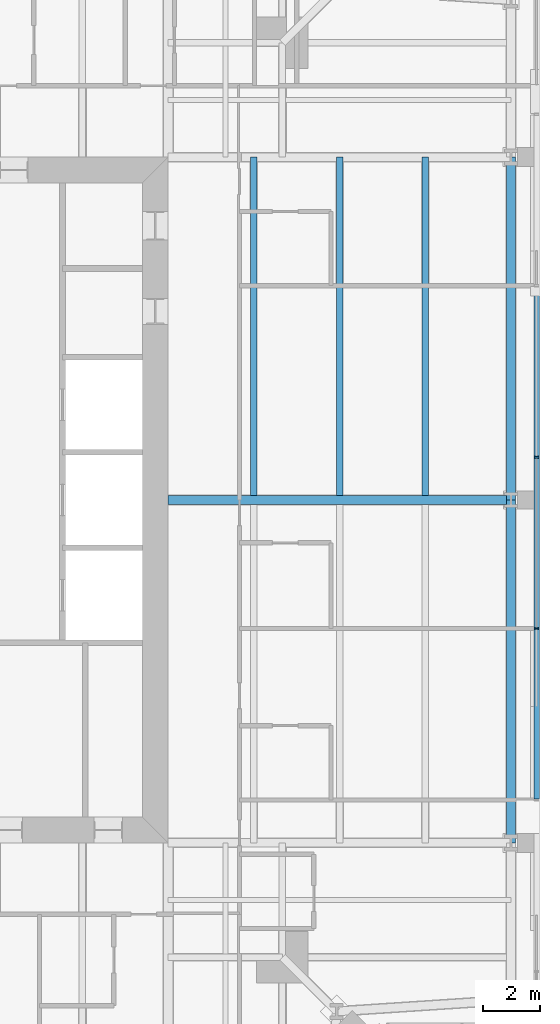
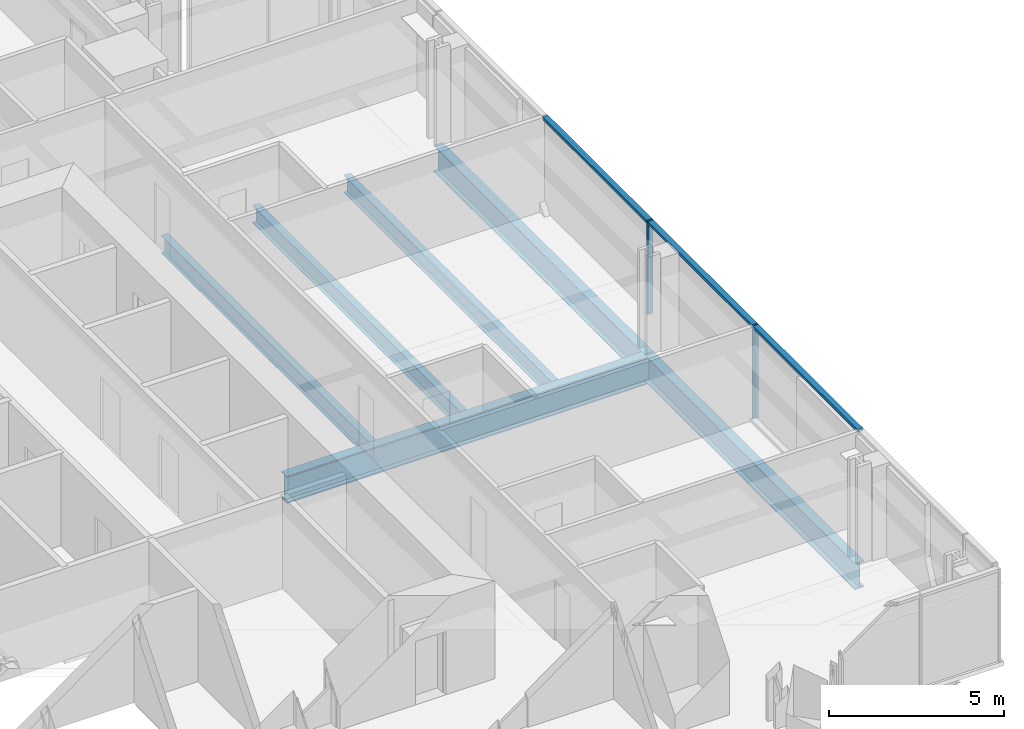
# One storey, part 6 of 18: 6 beams, 5 members, 1 element without a shape of its own.
"""IFC4 building model written with IfcOpenShell, lengths in metres."""

from ifc_helpers import new_model, si_unit, direction, frame, origin, origin_2d, place, context, subcontext, project, spatial, rectangle, i_section, extrude, material, material_profile, profile_set, type_object, element, aggregate, save


model = new_model("IFC4")

# Units and contexts
model_context = context("Model", 3, precision=1e-05, world=origin(), true_north=direction((0.0, 1.0)))
body_context = subcontext(model_context, "Body", "Model", "MODEL_VIEW")
ifc_project = project(units=[si_unit("LENGTHUNIT", "METRE"), si_unit("AREAUNIT", "SQUARE_METRE"), si_unit("VOLUMEUNIT", "CUBIC_METRE"), si_unit("PLANEANGLEUNIT", "RADIAN"), si_unit("MASSUNIT", "GRAM", prefix="KILO")], contexts=[model_context])

# Site, building, storey
site_placement = place(None, origin())
site = spatial("IfcSite", under=ifc_project, at=site_placement, CompositionType="ELEMENT")
building_placement = place(site_placement, origin())
building = spatial("IfcBuilding", under=site, at=building_placement, Name="Fenwick Lantern Interchange", CompositionType="ELEMENT")
storey_placement = place(building_placement, frame((0.0, 0.0, 266.199951171875)))
storey = spatial("IfcBuildingStorey", under=building, at=storey_placement, Name="L63", CompositionType="ELEMENT", Elevation=266.199951171875)

# Beams
ifc_material_1 = material(Name="Steel ASTM A992 Grade 50", Category="steel")
ifc_material_profile_1 = material_profile(ifc_material_1, i_section(OverallWidth=0.3046875, OverallDepth=0.911865234375, WebThickness=0.015869140625, FlangeThickness=0.02392578125, at=origin_2d()), Name="W36X150")
ifc_profile_set_1 = profile_set([ifc_material_profile_1], Name="Steel ASTM A992 Grade 50")
beam_type_1 = type_object("IfcBeamType", Name="EDGE BEAM W36X150", PredefinedType="SPANDREL", material=ifc_profile_set_1)
for number, where, z_axis, x_axis, name in (
    (1, (49.0, 13.0, -0.60595703125), (0.0, 1.0, 0.0), (-1.0, 0.0, 0.0), "L63/FR/E/EB2"),
    (2, (49.0, 25.0, -0.60595703125), (0.0, 1.0, 0.0), (-1.0, 0.0, 0.0), "L63/FR/E/EB3"),
):
    element("IfcBeam", number, at=place(storey_placement, frame(where, z_axis=z_axis, x_axis=x_axis)), inside=storey, type_object=beam_type_1, Name=name, PredefinedType="SPANDREL", context=body_context, shape_type="SweptSolid", body=[
        extrude(i_section(OverallWidth=0.3046875, OverallDepth=0.911865234375, WebThickness=0.015869140625, FlangeThickness=0.02392578125, at=origin_2d()), origin(), (0.0, 0.0, 1.0), 12.0),
    ])
ifc_material_profile_2 = material_profile(ifc_material_1, i_section(OverallWidth=0.22900390625, OverallDepth=0.612060546875, WebThickness=0.011962890625, FlangeThickness=0.01953125, at=origin_2d()), Name="W24X84")
ifc_profile_set_2 = profile_set([ifc_material_profile_2], Name="Steel ASTM A992 Grade 50")
beam_type_2 = type_object("IfcBeamType", Name="FLOOR BEAM W24X84", PredefinedType="BEAM", material=ifc_profile_set_2)
for number, where, z_axis, x_axis, name in (
    (3, (46.0, 25.155029296875, -0.4560546875), (0.0, 1.0, 0.0), (-1.0, 0.0, 0.0), "L63/FR/E/B04"),
    (4, (43.0, 25.155029296875, -0.4560546875), (0.0, 1.0, 0.0), (-1.0, 0.0, 0.0), "L63/FR/E/B05"),
    (5, (40.0, 25.155029296875, -0.4560546875), (0.0, 1.0, 0.0), (-1.0, 0.0, 0.0), "L63/FR/E/B06"),
):
    element("IfcBeam", number, at=place(storey_placement, frame(where, z_axis=z_axis, x_axis=x_axis)), inside=storey, type_object=beam_type_2, Name=name, PredefinedType="BEAM", context=body_context, shape_type="SweptSolid", body=[
        extrude(i_section(OverallWidth=0.22900390625, OverallDepth=0.612060546875, WebThickness=0.011962890625, FlangeThickness=0.01953125, at=origin_2d()), origin(), (0.0, 0.0, 1.0), 11.844970703125),
    ])

# Curtain wall, members
ifc_material_2 = material(Name="Aluminium curtain wall frame", Category="aluminium")
curtain_wall_type = type_object("IfcCurtainWallType", Name="HOTEL CURTAIN WALL", PredefinedType="USERDEFINED", material=ifc_material_2)
curtain_wall_placement = place(storey_placement, origin())
curtain_wall = element("IfcCurtainWall", 6, at=curtain_wall_placement, inside=storey, type_object=curtain_wall_type, Name="Hotel curtain wall 05", ObjectType="HOTEL CURTAIN WALL", PredefinedType="USERDEFINED")
ifc_material_3 = material(Name="Aluminium extrusion", Category="aluminium")
ifc_material_profile_3 = material_profile(ifc_material_3, rectangle(XDim=0.179931640625, YDim=0.06005859375, at=origin_2d()), Name="HOTEL CURTAIN WALL MULLION 60 X 180")
ifc_profile_set_3 = profile_set([ifc_material_profile_3], Name="Aluminium extrusion")
member_type_1 = type_object("IfcMemberType", Name="HOTEL CURTAIN WALL MULLION 60 X 180", PredefinedType="MULLION", material=ifc_profile_set_3)
member_1_placement = place(storey_placement, frame((49.89990234375, 20.5, 0.0), z_axis=(0.0, 0.0, 1.0), x_axis=(-1.0, 0.0, 0.0)))
member_1 = element("IfcMember", 7, at=member_1_placement, type_object=member_type_1, Name="L63/CW/05/M03", PredefinedType="MULLION", context=body_context, shape_type="SweptSolid", body=[
    extrude(rectangle(XDim=0.179931640625, YDim=0.06005859375, at=origin_2d()), origin(), (0.0, 0.0, 1.0), 3.25),
])
member_2_placement = place(storey_placement, frame((49.89990234375, 26.5, 0.0), z_axis=(0.0, 0.0, 1.0), x_axis=(-1.0, 0.0, 0.0)))
member_2 = element("IfcMember", 8, at=member_2_placement, type_object=member_type_1, Name="L63/CW/05/M04", PredefinedType="MULLION", context=body_context, shape_type="SweptSolid", body=[
    extrude(rectangle(XDim=0.179931640625, YDim=0.06005859375, at=origin_2d()), origin(), (0.0, 0.0, 1.0), 3.25),
])
ifc_material_profile_4 = material_profile(ifc_material_3, rectangle(XDim=0.179931640625, YDim=0.10009765625, at=origin_2d()), Name="HOTEL CURTAIN WALL TRANSOM 100 X 180")
ifc_profile_set_4 = profile_set([ifc_material_profile_4], Name="Aluminium extrusion")
member_type_2 = type_object("IfcMemberType", Name="HOTEL CURTAIN WALL TRANSOM 100 X 180", PredefinedType="MULLION", material=ifc_profile_set_4)
member_3_placement = place(storey_placement, frame((49.89990234375, 14.530029296875, 3.199951171875), z_axis=(0.0, 1.0, 0.0), x_axis=(-1.0, 0.0, 0.0)))
member_3 = element("IfcMember", 9, at=member_3_placement, type_object=member_type_2, Name="L63/CW/05/T02", PredefinedType="MULLION", context=body_context, shape_type="SweptSolid", body=[
    extrude(rectangle(XDim=0.179931640625, YDim=0.10009765625, at=origin_2d()), origin(), (0.0, 0.0, 1.0), 5.93994140625),
])
member_4_placement = place(storey_placement, frame((49.89990234375, 20.530029296875, 3.199951171875), z_axis=(0.0, 1.0, 0.0), x_axis=(-1.0, 0.0, 0.0)))
member_4 = element("IfcMember", 10, at=member_4_placement, type_object=member_type_2, Name="L63/CW/05/T03", PredefinedType="MULLION", context=body_context, shape_type="SweptSolid", body=[
    extrude(rectangle(XDim=0.179931640625, YDim=0.10009765625, at=origin_2d()), origin(), (0.0, 0.0, 1.0), 5.93994140625),
])
member_5_placement = place(storey_placement, frame((49.89990234375, 26.530029296875, 3.199951171875), z_axis=(0.0, 1.0, 0.0), x_axis=(-1.0, 0.0, 0.0)))
member_5 = element("IfcMember", 11, at=member_5_placement, type_object=member_type_2, Name="L63/CW/05/T04", PredefinedType="MULLION", context=body_context, shape_type="SweptSolid", body=[
    extrude(rectangle(XDim=0.179931640625, YDim=0.10009765625, at=origin_2d()), origin(), (0.0, 0.0, 1.0), 5.93994140625),
])
aggregate(curtain_wall, [member_1, member_2, member_3, member_4, member_5])

# Beam
ifc_material_profile_5 = material_profile(ifc_material_1, i_section(OverallWidth=0.309814453125, OverallDepth=0.949951171875, WebThickness=0.0244140625, FlangeThickness=0.0439453125, at=origin_2d()), Name="W36X256")
ifc_profile_set_5 = profile_set([ifc_material_profile_5], Name="Steel ASTM A992 Grade 50")
beam_type_3 = type_object("IfcBeamType", Name="MOMENT-CONNECTED GIRDER W36X256", PredefinedType="BEAM", material=ifc_profile_set_5)
beam_placement = place(storey_placement, frame((49.0, 25.0, -0.625), z_axis=(-1.0, 0.0, 0.0), x_axis=(0.0, -1.0, 0.0)))
element("IfcBeam", 12, at=beam_placement, inside=storey, type_object=beam_type_3, Name="L63/FR/E/R02", PredefinedType="BEAM", context=body_context, shape_type="SweptSolid", body=[
    extrude(i_section(OverallWidth=0.309814453125, OverallDepth=0.949951171875, WebThickness=0.0244140625, FlangeThickness=0.0439453125, at=origin_2d()), origin(), (0.0, 0.0, 1.0), 12.0),
])

save(model, "model.ifc")
